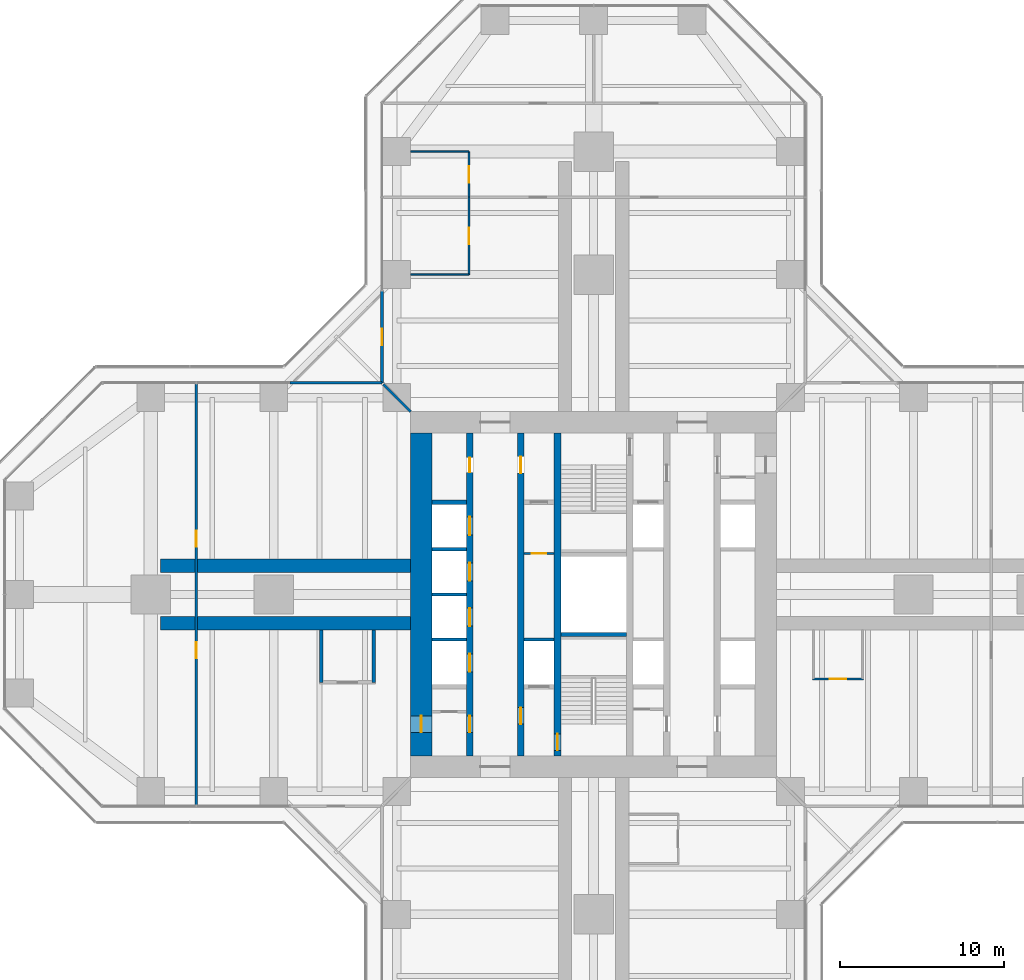
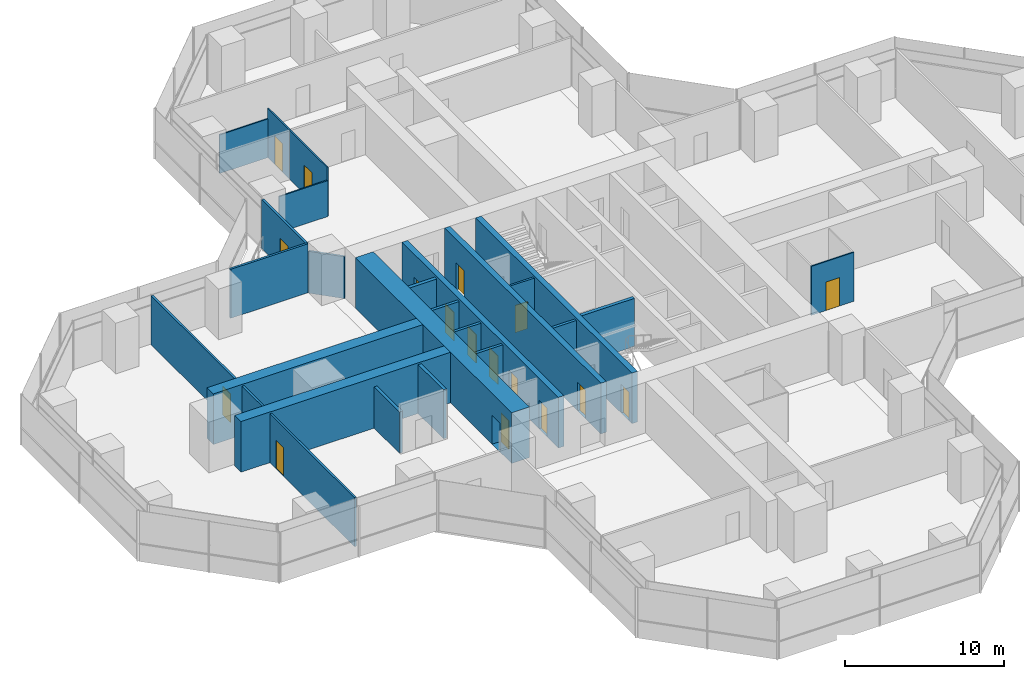
# One storey, part 18 of 22: 24 walls, 17 doors, 17 openings.
"""IFC4 building model written with IfcOpenShell, lengths in metres."""

import ifcopenshell
import ifcopenshell.guid

model = None  # the IFC model being written
_history = None  # IfcOwnerHistory: only IFC2X3 demands one
_inside = {}  # id of a spatial element -> (the spatial element, [elements in it])
_under = {}  # id of a project, library or spatial element -> (it, [spatial elements below it])
_declared = {}  # id of a project -> (the project, [libraries it declares])
_typed = {}  # id of a type object -> (the type object, [elements of that type])
_made_of = {}  # id of a material, layer set ... -> (it, [elements and type objects made of it])


def new_model(schema):
    """Start an empty IFC model of exactly this schema.

    Asked for "IFC4X3", IfcOpenShell would pick the latest addendum, in which some entities
    have other attributes; the version numbers below select the first issue.
    IFC2X3 requires an IfcOwnerHistory on every rooted entity: one is made here for all.
    """
    global model, _history
    if schema == "IFC4X3":
        model = ifcopenshell.file(schema_version=(4, 3, 0, 0))
    else:
        model = ifcopenshell.file(schema=schema)
    _inside.clear()
    _under.clear()
    _declared.clear()
    _typed.clear()
    _made_of.clear()
    _history = None
    if model.schema == "IFC2X3":
        org = make("IfcOrganization", Name="unknown")
        user = make(
            "IfcPersonAndOrganization",
            ThePerson=make("IfcPerson", FamilyName="unknown"),
            TheOrganization=org,
        )
        app = make(
            "IfcApplication",
            ApplicationDeveloper=org,
            Version="unknown",
            ApplicationFullName="unknown",
            ApplicationIdentifier="unknown",
        )
        _history = make(
            "IfcOwnerHistory",
            OwningUser=user,
            OwningApplication=app,
            ChangeAction="ADDED",
            CreationDate=0,
        )
    return model


def make(cls, **values):
    """One entity of the class cls with the attributes given. An attribute that is None is left unset."""
    return model.create_entity(
        cls, **{name: value for name, value in values.items() if value is not None}
    )


def rooted(cls, **values):
    """An entity with a GlobalId (a new one), such as an element, a storey or a relation."""
    return make(cls, GlobalId=ifcopenshell.guid.new(), OwnerHistory=_history, **values)


def si_unit(unit_type, name, prefix=None):
    """IfcSIUnit, for example si_unit("LENGTHUNIT", "METRE", prefix="MILLI")."""
    return make("IfcSIUnit", UnitType=unit_type, Prefix=prefix, Name=name)


def assignment(units):
    """IfcUnitAssignment: the units of a project."""
    return None if units is None else make("IfcUnitAssignment", Units=units)


def point(xyz):
    """IfcCartesianPoint."""
    return None if xyz is None else make("IfcCartesianPoint", Coordinates=xyz)


def direction(xyz):
    """IfcDirection."""
    return None if xyz is None else make("IfcDirection", DirectionRatios=xyz)


def frame(location, z_axis=None, x_axis=None):
    """IfcAxis2Placement3D, a coordinate frame: its origin and axes. An axis left out is left unset."""
    return make(
        "IfcAxis2Placement3D",
        Location=point(location),
        Axis=direction(z_axis),
        RefDirection=direction(x_axis),
    )


def frame_2d(location, x_axis=None):
    """IfcAxis2Placement2D, a coordinate frame in the plane: its origin and x axis."""
    return make(
        "IfcAxis2Placement2D", Location=point(location), RefDirection=direction(x_axis)
    )


def origin():
    """The frame at (0, 0, 0) with its axes left unset."""
    return frame((0.0, 0.0, 0.0))


def place(relative_to, where):
    """IfcLocalPlacement: puts the frame where relative to a parent placement (None: the world)."""
    return make(
        "IfcLocalPlacement", PlacementRelTo=relative_to, RelativePlacement=where
    )


def context(
    kind, dimensions, precision=None, world=None, true_north=None, identifier=None
):
    """IfcGeometricRepresentationContext, for example the 3D "Model" context."""
    return make(
        "IfcGeometricRepresentationContext",
        ContextIdentifier=identifier,
        ContextType=kind,
        CoordinateSpaceDimension=dimensions,
        Precision=precision,
        WorldCoordinateSystem=world,
        TrueNorth=true_north,
    )


def subcontext(parent, identifier, kind, view, scale=None):
    """IfcGeometricRepresentationSubContext, for example "Body" below "Model"."""
    return make(
        "IfcGeometricRepresentationSubContext",
        ContextIdentifier=identifier,
        ContextType=kind,
        ParentContext=parent,
        TargetScale=scale,
        TargetView=view,
    )


def project(units=None, contexts=None):
    """IfcProject with its units and contexts."""
    return rooted(
        "IfcProject",
        Name="project",
        RepresentationContexts=contexts,
        UnitsInContext=assignment(units),
    )


def spatial(cls, under=None, at=None, **own):
    """A site, building, storey or space (cls), placed at a placement, below another one or the project."""
    s = rooted(cls, ObjectPlacement=at, **own)
    if under is not None:
        _under.setdefault(under.id(), (under, []))[1].append(s)
    return s


def profile(cls, at=None, kind="AREA", **sizes):
    """A parametric profile (cls). Its sizes go by their IFC names, for example OverallWidth=200.0."""
    return make(cls, ProfileType=kind, Position=at, **sizes)


def rectangle(**sizes):
    """IfcRectangleProfileDef."""
    return profile("IfcRectangleProfileDef", **sizes)


def extrude(swept, where, along, depth):
    """IfcExtrudedAreaSolid: the profile swept, set in the frame where, extruded along a direction by depth."""
    return make(
        "IfcExtrudedAreaSolid",
        SweptArea=swept,
        Position=where,
        ExtrudedDirection=direction(along),
        Depth=depth,
    )


def shape(context_of_items, identifier, shape_type, items):
    """IfcShapeRepresentation: the items that make up one representation, for example the "Body"."""
    return make(
        "IfcShapeRepresentation",
        ContextOfItems=context_of_items,
        RepresentationIdentifier=identifier,
        RepresentationType=shape_type,
        Items=items,
    )


def material(Name=None, Category=None):
    """IfcMaterial."""
    return make("IfcMaterial", Name=Name, Category=Category)


def layer(
    of_material, thickness, ventilated=None, Name=None, Category=None, Priority=None
):
    """IfcMaterialLayer: one layer of a wall or slab, of a material (None: an air gap)."""
    return make(
        "IfcMaterialLayer",
        Material=of_material,
        LayerThickness=thickness,
        IsVentilated=ventilated,
        Name=Name,
        Category=Category,
        Priority=Priority,
    )


def layer_set(layers, Name=None):
    """IfcMaterialLayerSet."""
    return make("IfcMaterialLayerSet", MaterialLayers=layers, LayerSetName=Name)


def made_of(thing, what):
    """Note that an element or type object is made of a material, layer set ...; save() writes the relation."""
    if what is not None:
        _made_of.setdefault(what.id(), (what, []))[1].append(thing)
    return thing


def type_object(cls, material=None, **own):
    """A type object (cls), such as IfcWallType, which elements share."""
    return made_of(rooted(cls, **own), material)


def element(
    cls,
    number,
    at=None,
    inside=None,
    cuts=None,
    type_object=None,
    material=None,
    context=None,
    identifier="Body",
    shape_type=None,
    held_by="IfcProductDefinitionShape",
    body=None,
    shapes=None,
    **own,
):
    """One element of the class cls, such as IfcWall. Its Tag is "e" and its number.

    at: its placement. inside: the storey or other place that contains it. cuts: it is an
    opening in that element (IfcRelVoidsElement). A single representation is given by context,
    identifier, shape_type and body (its items); several are given by shapes. held_by: the class
    of the entity that holds the representations. save() writes the other relations.
    """
    e = rooted(cls, Tag="e%d" % number, ObjectPlacement=at, **own)
    if body is not None:
        shapes = [shape(context, identifier, shape_type, body)]
    if shapes is not None:
        e.Representation = make(held_by, Representations=shapes)
    if inside is not None:
        _inside.setdefault(inside.id(), (inside, []))[1].append(e)
    if cuts is not None:
        rooted(
            "IfcRelVoidsElement", RelatingBuildingElement=cuts, RelatedOpeningElement=e
        )
    if type_object is not None:
        _typed.setdefault(type_object.id(), (type_object, []))[1].append(e)
    return made_of(e, material)


def fill(opening, filler):
    """IfcRelFillsElement: the door or window that sits in an opening."""
    return rooted(
        "IfcRelFillsElement",
        RelatingOpeningElement=opening,
        RelatedBuildingElement=filler,
    )


def aggregate(whole, parts):
    """IfcRelAggregates: a whole, such as a stair, and the parts it consists of."""
    return rooted("IfcRelAggregates", RelatingObject=whole, RelatedObjects=parts)


def save(model, path):
    """Write the relations noted so far, then the file.

    IfcRelAggregates (storeys below a building ...), IfcRelContainedInSpatialStructure (elements
    in a storey), IfcRelDefinesByType, IfcRelAssociatesMaterial and IfcRelDeclares: one each for
    every whole, place, type object, material and project.
    """
    for whole, parts in _under.values():
        aggregate(whole, parts)
    for where, things in _inside.values():
        rooted(
            "IfcRelContainedInSpatialStructure",
            RelatedElements=things,
            RelatingStructure=where,
        )
    for kind, things in _typed.values():
        rooted("IfcRelDefinesByType", RelatedObjects=things, RelatingType=kind)
    for what, things in _made_of.values():
        rooted("IfcRelAssociatesMaterial", RelatedObjects=things, RelatingMaterial=what)
    for by, libraries in _declared.values():
        rooted("IfcRelDeclares", RelatingContext=by, RelatedDefinitions=libraries)
    model.write(path)


model = new_model("IFC4")

# Units and contexts
model_context = context("Model", 3, precision=1e-05, world=origin(), true_north=direction((0.0, 1.0)))
body_context = subcontext(model_context, "Body", "Model", "MODEL_VIEW")
ifc_project = project(units=[si_unit("LENGTHUNIT", "METRE"), si_unit("AREAUNIT", "SQUARE_METRE"), si_unit("VOLUMEUNIT", "CUBIC_METRE"), si_unit("PLANEANGLEUNIT", "RADIAN"), si_unit("MASSUNIT", "GRAM", prefix="KILO")], contexts=[model_context])

# Site, building, storey
site_placement = place(None, origin())
site = spatial("IfcSite", under=ifc_project, at=site_placement, CompositionType="ELEMENT")
building_placement = place(site_placement, origin())
building = spatial("IfcBuilding", under=site, at=building_placement, Name="Mizan Broadcast Tower", CompositionType="ELEMENT")
storey_placement = place(building_placement, frame((0.0, 0.0, 102.0)))
storey = spatial("IfcBuildingStorey", under=building, at=storey_placement, Name="L22", CompositionType="ELEMENT", Elevation=102.0)

# Wall, openings, doors
ifc_material_1 = material(Name="Concrete C70/85", Category="concrete")
ifc_layer_1 = layer(ifc_material_1, 0.39990234375)
ifc_layer_set_1 = layer_set([ifc_layer_1], Name="Concrete C70/85")
wall_type_1 = type_object("IfcWallType", Name="CORE INTERNAL WALL 400", PredefinedType="SHEAR", material=ifc_layer_set_1)
wall_1_placement = place(storey_placement, frame((-7.550048828125, -9.85009765625, 0.0), z_axis=(0.0, 0.0, 1.0), x_axis=(0.0, 1.0, 0.0)))
wall_1 = element("IfcWall", 1, at=wall_1_placement, inside=storey, type_object=wall_type_1, Name="Core wall CORE/XW1", PredefinedType="SHEAR", context=body_context, shape_type="SweptSolid", body=[
    extrude(rectangle(XDim=19.7001953125, YDim=0.39990234375, at=frame_2d((9.85009765625, 0.0))), origin(), (0.0, 0.0, 1.0), 3.89990234375),
])
opening_1_placement = place(wall_1_placement, frame((1.449951171875, 0.0, 0.0)))
opening_1 = element("IfcOpeningElement", 2, at=opening_1_placement, cuts=wall_1, Name="Opening D10F", PredefinedType="OPENING", context=body_context, shape_type="SweptSolid", body=[
    extrude(rectangle(XDim=1.0, YDim=2.199951171875, at=frame_2d((0.5, 1.10009765625))), frame((0.0, 0.2099609375, 0.0), z_axis=(0.0, -1.0, 0.0), x_axis=(1.0, 0.0, 0.0)), (0.0, 0.0, 1.0), 0.419921875),
])
opening_2_placement = place(wall_1_placement, frame((17.300048828125, 0.0, 0.0)))
opening_2 = element("IfcOpeningElement", 3, at=opening_2_placement, cuts=wall_1, Name="Opening D09", PredefinedType="OPENING", context=body_context, shape_type="SweptSolid", body=[
    extrude(rectangle(XDim=0.89990234375, YDim=2.10009765625, at=frame_2d((0.449951171875, 1.050048828125))), frame((0.0, 0.2099609375, 0.0), z_axis=(0.0, -1.0, 0.0), x_axis=(1.0, 0.0, 0.0)), (0.0, 0.0, 1.0), 0.419921875),
])
opening_3_placement = place(wall_1_placement, frame((5.125, 0.0, 0.0)))
opening_3 = element("IfcOpeningElement", 4, at=opening_3_placement, cuts=wall_1, Name="Opening LD", PredefinedType="OPENING", context=body_context, shape_type="SweptSolid", body=[
    extrude(rectangle(XDim=1.10009765625, YDim=2.199951171875, at=frame_2d((0.550048828125, 1.10009765625))), frame((0.0, 0.2099609375, 0.0), z_axis=(0.0, -1.0, 0.0), x_axis=(1.0, 0.0, 0.0)), (0.0, 0.0, 1.0), 0.419921875),
])
opening_4_placement = place(wall_1_placement, frame((7.925048828125, 0.0, 0.0)))
opening_4 = element("IfcOpeningElement", 5, at=opening_4_placement, cuts=wall_1, Name="Opening LD", PredefinedType="OPENING", context=body_context, shape_type="SweptSolid", body=[
    extrude(rectangle(XDim=1.10009765625, YDim=2.199951171875, at=frame_2d((0.550048828125, 1.10009765625))), frame((0.0, 0.2099609375, 0.0), z_axis=(0.0, -1.0, 0.0), x_axis=(1.0, 0.0, 0.0)), (0.0, 0.0, 1.0), 0.419921875),
])
opening_5_placement = place(wall_1_placement, frame((10.675048828125, 0.0, 0.0)))
opening_5 = element("IfcOpeningElement", 6, at=opening_5_placement, cuts=wall_1, Name="Opening LD", PredefinedType="OPENING", context=body_context, shape_type="SweptSolid", body=[
    extrude(rectangle(XDim=1.10009765625, YDim=2.199951171875, at=frame_2d((0.550048828125, 1.10009765625))), frame((0.0, 0.2099609375, 0.0), z_axis=(0.0, -1.0, 0.0), x_axis=(1.0, 0.0, 0.0)), (0.0, 0.0, 1.0), 0.419921875),
])
opening_6_placement = place(wall_1_placement, frame((13.47509765625, 0.0, 0.0)))
opening_6 = element("IfcOpeningElement", 7, at=opening_6_placement, cuts=wall_1, Name="Opening LD", PredefinedType="OPENING", context=body_context, shape_type="SweptSolid", body=[
    extrude(rectangle(XDim=1.10009765625, YDim=2.199951171875, at=frame_2d((0.550048828125, 1.10009765625))), frame((0.0, 0.2099609375, 0.0), z_axis=(0.0, -1.0, 0.0), x_axis=(1.0, 0.0, 0.0)), (0.0, 0.0, 1.0), 0.419921875),
])
ifc_material_2 = material(Name="Steel door leaf in steel frame", Category="steel")
door_type_1 = type_object("IfcDoorType", Name="FIRE DOOR 1000 FD90", OperationType="SINGLE_SWING_LEFT", PredefinedType="DOOR", material=ifc_material_2)
door_1_placement = place(opening_1_placement, origin())
door_1 = element("IfcDoor", 8, at=door_1_placement, inside=storey, type_object=door_type_1, Name="West core passage door", OperationType="SINGLE_SWING_LEFT", OverallHeight=2.199951171875, OverallWidth=1.0, PredefinedType="DOOR", context=body_context, shape_type="SweptSolid", body=[
    extrude(rectangle(XDim=1.0, YDim=2.199951171875, at=frame_2d((0.5, 1.10009765625))), frame((0.0, 0.02490234375, 0.0), z_axis=(0.0, -1.0, 0.0), x_axis=(1.0, 0.0, 0.0)), (0.0, 0.0, 1.0), 0.050048828125),
])
fill(opening_1, door_1)
ifc_material_3 = material(Name="Steel door leaf in steel frame", Category="steel")
door_type_2 = type_object("IfcDoorType", Name="LIFT LANDING DOOR 1100", OperationType="SLIDING_TO_LEFT", PredefinedType="DOOR", material=ifc_material_3)
door_2_placement = place(opening_3_placement, origin())
door_2 = element("IfcDoor", 9, at=door_2_placement, inside=storey, type_object=door_type_2, Name="Landing door LA1", OperationType="SLIDING_TO_LEFT", OverallHeight=2.199951171875, OverallWidth=1.10009765625, PredefinedType="DOOR", context=body_context, shape_type="SweptSolid", body=[
    extrude(rectangle(XDim=1.10009765625, YDim=2.199951171875, at=frame_2d((0.550048828125, 1.10009765625))), frame((0.0, 0.02490234375, 0.0), z_axis=(0.0, -1.0, 0.0), x_axis=(1.0, 0.0, 0.0)), (0.0, 0.0, 1.0), 0.050048828125),
])
fill(opening_3, door_2)
door_3_placement = place(opening_4_placement, origin())
door_3 = element("IfcDoor", 10, at=door_3_placement, inside=storey, type_object=door_type_2, Name="Landing door LA2", OperationType="SLIDING_TO_LEFT", OverallHeight=2.199951171875, OverallWidth=1.10009765625, PredefinedType="DOOR", context=body_context, shape_type="SweptSolid", body=[
    extrude(rectangle(XDim=1.10009765625, YDim=2.199951171875, at=frame_2d((0.550048828125, 1.10009765625))), frame((0.0, 0.02490234375, 0.0), z_axis=(0.0, -1.0, 0.0), x_axis=(1.0, 0.0, 0.0)), (0.0, 0.0, 1.0), 0.050048828125),
])
fill(opening_4, door_3)
door_4_placement = place(opening_5_placement, origin())
door_4 = element("IfcDoor", 11, at=door_4_placement, inside=storey, type_object=door_type_2, Name="Landing door LA3", OperationType="SLIDING_TO_LEFT", OverallHeight=2.199951171875, OverallWidth=1.10009765625, PredefinedType="DOOR", context=body_context, shape_type="SweptSolid", body=[
    extrude(rectangle(XDim=1.10009765625, YDim=2.199951171875, at=frame_2d((0.550048828125, 1.10009765625))), frame((0.0, 0.02490234375, 0.0), z_axis=(0.0, -1.0, 0.0), x_axis=(1.0, 0.0, 0.0)), (0.0, 0.0, 1.0), 0.050048828125),
])
fill(opening_5, door_4)
door_5_placement = place(opening_6_placement, origin())
door_5 = element("IfcDoor", 12, at=door_5_placement, inside=storey, type_object=door_type_2, Name="Landing door LA4", OperationType="SLIDING_TO_LEFT", OverallHeight=2.199951171875, OverallWidth=1.10009765625, PredefinedType="DOOR", context=body_context, shape_type="SweptSolid", body=[
    extrude(rectangle(XDim=1.10009765625, YDim=2.199951171875, at=frame_2d((0.550048828125, 1.10009765625))), frame((0.0, 0.02490234375, 0.0), z_axis=(0.0, -1.0, 0.0), x_axis=(1.0, 0.0, 0.0)), (0.0, 0.0, 1.0), 0.050048828125),
])
fill(opening_6, door_5)
ifc_material_4 = material(Name="Timber door leaf in aluminium frame", Category="wood")
door_type_3 = type_object("IfcDoorType", Name="TOILET DOOR 900", OperationType="SINGLE_SWING_LEFT", PredefinedType="DOOR", material=ifc_material_4)
door_6_placement = place(opening_2_placement, origin())
door_6 = element("IfcDoor", 13, at=door_6_placement, inside=storey, type_object=door_type_3, Name="Male WC door", OperationType="SINGLE_SWING_RIGHT", OverallHeight=2.10009765625, OverallWidth=0.89990234375, PredefinedType="DOOR", context=body_context, shape_type="SweptSolid", body=[
    extrude(rectangle(XDim=0.89990234375, YDim=2.10009765625, at=frame_2d((0.449951171875, 1.050048828125))), frame((0.0, 0.02490234375, 0.0), z_axis=(0.0, -1.0, 0.0), x_axis=(1.0, 0.0, 0.0)), (0.0, 0.0, 1.0), 0.050048828125),
])
fill(opening_2, door_6)

wall_2_placement = place(storey_placement, frame((-4.449951171875, -9.85009765625, 0.0), z_axis=(0.0, 0.0, 1.0), x_axis=(0.0, 1.0, 0.0)))
wall_2 = element("IfcWall", 14, at=wall_2_placement, inside=storey, type_object=wall_type_1, Name="Core wall CORE/XWH", PredefinedType="SHEAR", context=body_context, shape_type="SweptSolid", body=[
    extrude(rectangle(XDim=19.7001953125, YDim=0.39990234375, at=frame_2d((9.85009765625, 0.0))), origin(), (0.0, 0.0, 1.0), 3.89990234375),
])
opening_7_placement = place(wall_2_placement, frame((1.949951171875, 0.0, 0.0)))
opening_7 = element("IfcOpeningElement", 15, at=opening_7_placement, cuts=wall_2, Name="Opening D10F", PredefinedType="OPENING", context=body_context, shape_type="SweptSolid", body=[
    extrude(rectangle(XDim=1.0, YDim=2.199951171875, at=frame_2d((0.5, 1.10009765625))), frame((0.0, 0.2099609375, 0.0), z_axis=(0.0, -1.0, 0.0), x_axis=(1.0, 0.0, 0.0)), (0.0, 0.0, 1.0), 0.419921875),
])
opening_8_placement = place(wall_2_placement, frame((17.25, 0.0, 0.0)))
opening_8 = element("IfcOpeningElement", 16, at=opening_8_placement, cuts=wall_2, Name="Opening D10A", PredefinedType="OPENING", context=body_context, shape_type="SweptSolid", body=[
    extrude(rectangle(XDim=1.0, YDim=2.10009765625, at=frame_2d((0.5, 1.050048828125))), frame((0.0, 0.2099609375, 0.0), z_axis=(0.0, -1.0, 0.0), x_axis=(1.0, 0.0, 0.0)), (0.0, 0.0, 1.0), 0.419921875),
])
ifc_material_5 = material(Name="Timber door leaf in aluminium frame", Category="wood")
door_type_4 = type_object("IfcDoorType", Name="ACCESSIBLE WC DOOR 1000", OperationType="SLIDING_TO_LEFT", PredefinedType="DOOR", material=ifc_material_5)
door_7_placement = place(opening_8_placement, origin())
door_7 = element("IfcDoor", 17, at=door_7_placement, inside=storey, type_object=door_type_4, Name="Accessible WC door", OperationType="SLIDING_TO_LEFT", OverallHeight=2.10009765625, OverallWidth=1.0, PredefinedType="DOOR", context=body_context, shape_type="SweptSolid", body=[
    extrude(rectangle(XDim=1.0, YDim=2.10009765625, at=frame_2d((0.5, 1.050048828125))), frame((0.0, 0.02490234375, 0.0), z_axis=(0.0, -1.0, 0.0), x_axis=(1.0, 0.0, 0.0)), (0.0, 0.0, 1.0), 0.050048828125),
])
fill(opening_8, door_7)
door_8_placement = place(opening_7_placement, origin())
door_8 = element("IfcDoor", 18, at=door_8_placement, inside=storey, type_object=door_type_1, Name="Firefighting lobby A door", OperationType="SINGLE_SWING_LEFT", OverallHeight=2.199951171875, OverallWidth=1.0, PredefinedType="DOOR", context=body_context, shape_type="SweptSolid", body=[
    extrude(rectangle(XDim=1.0, YDim=2.199951171875, at=frame_2d((0.5, 1.10009765625))), frame((0.0, 0.02490234375, 0.0), z_axis=(0.0, -1.0, 0.0), x_axis=(1.0, 0.0, 0.0)), (0.0, 0.0, 1.0), 0.050048828125),
])
fill(opening_7, door_8)

# Wall, opening, door
wall_3_placement = place(storey_placement, frame((-2.199951171875, -9.85009765625, 0.0), z_axis=(0.0, 0.0, 1.0), x_axis=(0.0, 1.0, 0.0)))
wall_3 = element("IfcWall", 19, at=wall_3_placement, inside=storey, type_object=wall_type_1, Name="Core wall CORE/XW2", PredefinedType="SHEAR", context=body_context, shape_type="SweptSolid", body=[
    extrude(rectangle(XDim=19.7001953125, YDim=0.39990234375, at=frame_2d((9.85009765625, 0.0))), origin(), (0.0, 0.0, 1.0), 3.89990234375),
])
opening_9_placement = place(wall_3_placement, frame((0.35009765625, 0.0, 0.0)))
opening_9 = element("IfcOpeningElement", 20, at=opening_9_placement, cuts=wall_3, Name="Opening D10S", PredefinedType="OPENING", context=body_context, shape_type="SweptSolid", body=[
    extrude(rectangle(XDim=1.0, YDim=2.199951171875, at=frame_2d((0.5, 1.10009765625))), frame((0.0, 0.2099609375, 0.0), z_axis=(0.0, -1.0, 0.0), x_axis=(1.0, 0.0, 0.0)), (0.0, 0.0, 1.0), 0.419921875),
])
ifc_material_6 = material(Name="Steel door leaf in steel frame", Category="steel")
door_type_5 = type_object("IfcDoorType", Name="STAIR DOOR 1000 FD90S", OperationType="SINGLE_SWING_RIGHT", PredefinedType="DOOR", material=ifc_material_6)
door_9_placement = place(opening_9_placement, origin())
door_9 = element("IfcDoor", 21, at=door_9_placement, inside=storey, type_object=door_type_5, Name="Stair A door", OperationType="SINGLE_SWING_RIGHT", OverallHeight=2.199951171875, OverallWidth=1.0, PredefinedType="DOOR", context=body_context, shape_type="SweptSolid", body=[
    extrude(rectangle(XDim=1.0, YDim=2.199951171875, at=frame_2d((0.5, 1.10009765625))), frame((0.0, 0.02490234375, 0.0), z_axis=(0.0, -1.0, 0.0), x_axis=(1.0, 0.0, 0.0)), (0.0, 0.0, 1.0), 0.050048828125),
])
fill(opening_9, door_9)

ifc_material_7 = material(Name="Concrete blockwork", Category="masonry")
ifc_layer_2 = layer(ifc_material_7, 0.14990234375)
ifc_layer_set_2 = layer_set([ifc_layer_2], Name="Concrete blockwork")
wall_type_2 = type_object("IfcWallType", Name="CORE PARTITION 150", PredefinedType="SOLIDWALL", material=ifc_layer_set_2)
wall_4_placement = place(storey_placement, frame((-4.25, 2.5, 0.0), z_axis=(0.0, 0.0, 1.0), x_axis=(1.0, 0.0, 0.0)))
wall_4 = element("IfcWall", 22, at=wall_4_placement, inside=storey, type_object=wall_type_2, Name="Core partition CORE/XP2", PredefinedType="SOLIDWALL", context=body_context, shape_type="SweptSolid", body=[
    extrude(rectangle(XDim=1.85009765625, YDim=0.14990234375, at=frame_2d((0.925048828125, 0.0))), origin(), (0.0, 0.0, 1.0), 3.77001953125),
])
opening_10_placement = place(wall_4_placement, frame((0.47509765625, 0.0, 0.0)))
opening_10 = element("IfcOpeningElement", 23, at=opening_10_placement, cuts=wall_4, Name="Opening D09F", PredefinedType="OPENING", context=body_context, shape_type="SweptSolid", body=[
    extrude(rectangle(XDim=0.89990234375, YDim=2.10009765625, at=frame_2d((0.449951171875, 1.050048828125))), frame((0.0, 0.0849609375, 0.0), z_axis=(0.0, -1.0, 0.0), x_axis=(1.0, 0.0, 0.0)), (0.0, 0.0, 1.0), 0.169921875),
])
ifc_material_8 = material(Name="Steel door leaf in steel frame", Category="steel")
door_type_6 = type_object("IfcDoorType", Name="CORE ROOM DOOR 900 FD90", OperationType="SINGLE_SWING_LEFT", PredefinedType="DOOR", material=ifc_material_8)
door_10_placement = place(opening_10_placement, origin())
door_10 = element("IfcDoor", 24, at=door_10_placement, inside=storey, type_object=door_type_6, Name="Accessible changing room door", OperationType="SINGLE_SWING_RIGHT", OverallHeight=2.10009765625, OverallWidth=0.89990234375, PredefinedType="DOOR", context=body_context, shape_type="SweptSolid", body=[
    extrude(rectangle(XDim=0.89990234375, YDim=2.10009765625, at=frame_2d((0.449951171875, 1.050048828125))), frame((0.0, 0.02490234375, 0.0), z_axis=(0.0, -1.0, 0.0), x_axis=(1.0, 0.0, 0.0)), (0.0, 0.0, 1.0), 0.050048828125),
])
fill(opening_10, door_10)

ifc_material_9 = material(Name="Concrete C70/85", Category="concrete")
ifc_layer_3 = layer(ifc_material_9, 1.300048828125)
ifc_layer_set_3 = layer_set([ifc_layer_3], Name="Concrete C70/85")
wall_type_3 = type_object("IfcWallType", Name="CORE WALL 1300", PredefinedType="SHEAR", material=ifc_layer_set_3)
wall_5_placement = place(storey_placement, frame((-10.5, 9.85009765625, 0.0), z_axis=(0.0, 0.0, 1.0), x_axis=(0.0, -1.0, 0.0)))
wall_5 = element("IfcWall", 25, at=wall_5_placement, inside=storey, type_object=wall_type_3, Name="Core wall W L22", PredefinedType="SHEAR", context=body_context, shape_type="SweptSolid", body=[
    extrude(rectangle(XDim=19.7001953125, YDim=1.300048828125, at=frame_2d((9.85009765625, 0.0))), origin(), (0.0, 0.0, 1.0), 3.89990234375),
])
opening_11_placement = place(wall_5_placement, frame((17.25, 0.0, 0.0)))
opening_11 = element("IfcOpeningElement", 26, at=opening_11_placement, cuts=wall_5, Name="Opening D10F", PredefinedType="OPENING", context=body_context, shape_type="SweptSolid", body=[
    extrude(rectangle(XDim=1.0, YDim=2.199951171875, at=frame_2d((0.5, 1.10009765625))), frame((0.0, 0.659912109375, 0.0), z_axis=(0.0, -1.0, 0.0), x_axis=(1.0, 0.0, 0.0)), (0.0, 0.0, 1.0), 1.320068359375),
])
door_11_placement = place(opening_11_placement, origin())
door_11 = element("IfcDoor", 27, at=door_11_placement, inside=storey, type_object=door_type_1, Name="West core passage arm door", OperationType="SINGLE_SWING_RIGHT", OverallHeight=2.199951171875, OverallWidth=1.0, PredefinedType="DOOR", context=body_context, shape_type="SweptSolid", body=[
    extrude(rectangle(XDim=1.0, YDim=2.199951171875, at=frame_2d((0.5, 1.10009765625))), frame((0.0, 0.02490234375, 0.0), z_axis=(0.0, -1.0, 0.0), x_axis=(1.0, 0.0, 0.0)), (0.0, 0.0, 1.0), 0.050048828125),
])
fill(opening_11, door_11)

ifc_material_10 = material(Name="Aluminium framed glazed screen", Category="aluminium")
ifc_layer_4 = layer(ifc_material_10, 0.159912109375)
ifc_layer_set_4 = layer_set([ifc_layer_4], Name="Aluminium framed glazed screen")
wall_type_4 = type_object("IfcWallType", Name="GLAZED SCREEN WALL 160", PredefinedType="SOLIDWALL", material=ifc_layer_set_4)
wall_6_placement = place(storey_placement, frame((-12.89990234375, 18.5, 0.0), z_axis=(0.0, 0.0, 1.0), x_axis=(0.0, -1.0, 0.0)))
wall_6 = element("IfcWall", 28, at=wall_6_placement, inside=storey, type_object=wall_type_4, Name="Winter garden screen L22 N", PredefinedType="SOLIDWALL", context=body_context, shape_type="SweptSolid", body=[
    extrude(rectangle(XDim=5.60009765625, YDim=0.159912109375, at=frame_2d((2.800048828125, 0.0))), origin(), (0.0, 0.0, 1.0), 3.77001953125),
])
opening_12_placement = place(wall_6_placement, frame((2.300048828125, 0.0, 0.0)))
opening_12 = element("IfcOpeningElement", 29, at=opening_12_placement, cuts=wall_6, Name="Opening WGD", PredefinedType="OPENING", context=body_context, shape_type="SweptSolid", body=[
    extrude(rectangle(XDim=1.0, YDim=2.199951171875, at=frame_2d((0.5, 1.10009765625))), frame((0.0, 0.08984375, 0.0), z_axis=(0.0, -1.0, 0.0), x_axis=(1.0, 0.0, 0.0)), (0.0, 0.0, 1.0), 0.179931640625),
])
ifc_material_11 = material(Name="Aluminium framed glazed door", Category="aluminium")
door_type_7 = type_object("IfcDoorType", Name="WINTER GARDEN DOOR 1000 GLAZED", OperationType="SINGLE_SWING_LEFT", PredefinedType="DOOR", material=ifc_material_11)
door_12_placement = place(opening_12_placement, origin())
door_12 = element("IfcDoor", 30, at=door_12_placement, inside=storey, type_object=door_type_7, Name="Winter garden door L22 N", OperationType="SINGLE_SWING_RIGHT", OverallHeight=2.199951171875, OverallWidth=1.0, PredefinedType="DOOR", context=body_context, shape_type="SweptSolid", body=[
    extrude(rectangle(XDim=1.0, YDim=2.199951171875, at=frame_2d((0.5, 1.10009765625))), frame((0.0, 0.02490234375, 0.0), z_axis=(0.0, -1.0, 0.0), x_axis=(1.0, 0.0, 0.0)), (0.0, 0.0, 1.0), 0.050048828125),
])
fill(opening_12, door_12)

# Walls
wall_7_placement = place(storey_placement, frame((-12.89990234375, 12.89990234375, 0.0), z_axis=(0.0, 0.0, 1.0), x_axis=(-1.0, 0.0, 0.0)))
element("IfcWall", 31, at=wall_7_placement, inside=storey, type_object=wall_type_4, Name="Winter garden screen L22 W", PredefinedType="SOLIDWALL", context=body_context, shape_type="SweptSolid", body=[
    extrude(rectangle(XDim=5.60009765625, YDim=0.159912109375, at=frame_2d((2.800048828125, 0.0))), origin(), (0.0, 0.0, 1.0), 3.77001953125),
])
ifc_material_12 = material(Name="Concrete blockwork", Category="masonry")
ifc_layer_5 = layer(ifc_material_12, 0.199951171875)
ifc_layer_set_5 = layer_set([ifc_layer_5], Name="Concrete blockwork")
wall_type_5 = type_object("IfcWallType", Name="LIFT SHAFT WALL 200", PredefinedType="SOLIDWALL", material=ifc_layer_set_5)
wall_8_placement = place(storey_placement, frame((-9.85009765625, -2.75, 0.0), z_axis=(0.0, 0.0, 1.0), x_axis=(1.0, 0.0, 0.0)))
element("IfcWall", 32, at=wall_8_placement, inside=storey, type_object=wall_type_5, Name="Lift shaft wall CORE/SW1-1", PredefinedType="SOLIDWALL", context=body_context, shape_type="SweptSolid", body=[
    extrude(rectangle(XDim=2.10009765625, YDim=0.199951171875, at=frame_2d((1.050048828125, 0.0))), origin(), (0.0, 0.0, 1.0), 3.699951171875),
])
wall_9_placement = place(storey_placement, frame((-4.25, -2.75, 0.0), z_axis=(0.0, 0.0, 1.0), x_axis=(1.0, 0.0, 0.0)))
element("IfcWall", 33, at=wall_9_placement, inside=storey, type_object=wall_type_5, Name="Lift shaft wall CORE/SW2-1", PredefinedType="SOLIDWALL", context=body_context, shape_type="SweptSolid", body=[
    extrude(rectangle(XDim=1.85009765625, YDim=0.199951171875, at=frame_2d((0.925048828125, 0.0))), origin(), (0.0, 0.0, 1.0), 3.699951171875),
])
for number, where, z_axis, x_axis, name in (
    (34, (-9.85009765625, 0.0, 0.0), (0.0, 0.0, 1.0), (1.0, 0.0, 0.0), "Lift shaft wall CORE/SW1-2"),
    (35, (-9.85009765625, 2.75, 0.0), (0.0, 0.0, 1.0), (1.0, 0.0, 0.0), "Lift shaft wall CORE/SW1-3"),
):
    element("IfcWall", number, at=place(storey_placement, frame(where, z_axis=z_axis, x_axis=x_axis)), inside=storey, type_object=wall_type_5, Name=name, PredefinedType="SOLIDWALL", context=body_context, shape_type="SweptSolid", body=[
        extrude(rectangle(XDim=2.10009765625, YDim=0.199951171875, at=frame_2d((1.050048828125, 0.0))), origin(), (0.0, 0.0, 1.0), 3.699951171875),
    ])
ifc_material_13 = material(Name="Concrete blockwork", Category="masonry")
ifc_layer_6 = layer(ifc_material_13, 0.25)
ifc_layer_set_6 = layer_set([ifc_layer_6], Name="Concrete blockwork")
wall_type_6 = type_object("IfcWallType", Name="LOBBY ENCLOSURE WALL 250", PredefinedType="SOLIDWALL", material=ifc_layer_set_6)
wall_10_placement = place(storey_placement, frame((-9.85009765625, 5.625, 0.0), z_axis=(0.0, 0.0, 1.0), x_axis=(1.0, 0.0, 0.0)))
element("IfcWall", 36, at=wall_10_placement, inside=storey, type_object=wall_type_6, Name="Lobby enclosure wall CORE/BW1N", PredefinedType="SOLIDWALL", context=body_context, shape_type="SweptSolid", body=[
    extrude(rectangle(XDim=2.10009765625, YDim=0.25, at=frame_2d((1.050048828125, 0.0))), origin(), (0.0, 0.0, 1.0), 3.699951171875),
])
wall_11_placement = place(storey_placement, frame((-2.0, -2.449951171875, 0.0), z_axis=(0.0, 0.0, 1.0), x_axis=(1.0, 0.0, 0.0)))
element("IfcWall", 37, at=wall_11_placement, inside=storey, type_object=wall_type_6, Name="Lobby enclosure wall CORE/STA", PredefinedType="SOLIDWALL", context=body_context, shape_type="SweptSolid", body=[
    extrude(rectangle(XDim=4.0, YDim=0.25, at=frame_2d((2.0, 0.0))), origin(), (0.0, 0.0, 1.0), 3.699951171875),
])

# Wall, openings, doors
ifc_material_14 = material(Name="Gypsum board on steel studs", Category="steel")
ifc_layer_7 = layer(ifc_material_14, 0.14990234375)
ifc_layer_set_7 = layer_set([ifc_layer_7], Name="Gypsum board on steel studs")
wall_type_7 = type_object("IfcWallType", Name="PARTITION 150", PredefinedType="PARTITIONING", material=ifc_layer_set_7)
wall_12_placement = place(storey_placement, frame((-24.22900390625, 12.820068359375, 0.0), z_axis=(0.0, 0.0, 1.0), x_axis=(0.0, -1.0, 0.0)))
wall_12 = element("IfcWall", 38, at=wall_12_placement, inside=storey, type_object=wall_type_7, Name="Partition PT/WX1", PredefinedType="PARTITIONING", context=body_context, shape_type="SweptSolid", body=[
    extrude(rectangle(XDim=25.64013671875, YDim=0.14990234375, at=frame_2d((12.820068359375, 0.0))), origin(), (0.0, 0.0, 1.0), 3.77001953125),
])
opening_13_placement = place(wall_12_placement, frame((15.719970703125, 0.0, 0.0)))
opening_13 = element("IfcOpeningElement", 39, at=opening_13_placement, cuts=wall_12, Name="Opening D10", PredefinedType="OPENING", context=body_context, shape_type="SweptSolid", body=[
    extrude(rectangle(XDim=1.0, YDim=2.199951171875, at=frame_2d((0.5, 1.10009765625))), frame((0.0, 0.0849609375, 0.0), z_axis=(0.0, -1.0, 0.0), x_axis=(1.0, 0.0, 0.0)), (0.0, 0.0, 1.0), 0.169921875),
])
opening_14_placement = place(wall_12_placement, frame((8.919921875, 0.0, 0.0)))
opening_14 = element("IfcOpeningElement", 40, at=opening_14_placement, cuts=wall_12, Name="Opening D10", PredefinedType="OPENING", context=body_context, shape_type="SweptSolid", body=[
    extrude(rectangle(XDim=1.0, YDim=2.199951171875, at=frame_2d((0.5, 1.10009765625))), frame((0.0, 0.0849609375, 0.0), z_axis=(0.0, -1.0, 0.0), x_axis=(1.0, 0.0, 0.0)), (0.0, 0.0, 1.0), 0.169921875),
])
ifc_material_15 = material(Name="Timber door leaf in aluminium frame", Category="wood")
door_type_8 = type_object("IfcDoorType", Name="ROOM DOOR 1000", OperationType="SINGLE_SWING_LEFT", PredefinedType="DOOR", material=ifc_material_15)
door_13_placement = place(opening_13_placement, origin())
door_13 = element("IfcDoor", 41, at=door_13_placement, inside=storey, type_object=door_type_8, Name="Breakout area door", OperationType="SINGLE_SWING_RIGHT", OverallHeight=2.199951171875, OverallWidth=1.0, PredefinedType="DOOR", context=body_context, shape_type="SweptSolid", body=[
    extrude(rectangle(XDim=1.0, YDim=2.199951171875, at=frame_2d((0.5, 1.10009765625))), frame((0.0, 0.02490234375, 0.0), z_axis=(0.0, -1.0, 0.0), x_axis=(1.0, 0.0, 0.0)), (0.0, 0.0, 1.0), 0.050048828125),
])
fill(opening_13, door_13)
door_14_placement = place(opening_14_placement, origin())
door_14 = element("IfcDoor", 42, at=door_14_placement, inside=storey, type_object=door_type_8, Name="Breakout area door", OperationType="SINGLE_SWING_LEFT", OverallHeight=2.199951171875, OverallWidth=1.0, PredefinedType="DOOR", context=body_context, shape_type="SweptSolid", body=[
    extrude(rectangle(XDim=1.0, YDim=2.199951171875, at=frame_2d((0.5, 1.10009765625))), frame((0.0, 0.02490234375, 0.0), z_axis=(0.0, -1.0, 0.0), x_axis=(1.0, 0.0, 0.0)), (0.0, 0.0, 1.0), 0.050048828125),
])
fill(opening_14, door_14)

# Walls
wall_13_placement = place(storey_placement, frame((-11.14990234375, 11.14990234375, 0.0), z_axis=(0.0, 0.0, 1.0), x_axis=(-0.707106781187, 0.707106781187, 0.0)))
element("IfcWall", 43, at=wall_13_placement, inside=storey, type_object=wall_type_7, Name="Partition PT/DGWN", PredefinedType="PARTITIONING", context=body_context, shape_type="SweptSolid", body=[
    extrude(rectangle(XDim=2.362060546875, YDim=0.14990234375, at=frame_2d((1.18115234375, 0.0))), origin(), (0.0, 0.0, 1.0), 3.219970703125),
])
ifc_material_16 = material(Name="Twin steel stud acoustic partition, four layers of gypsum board", Category="steel")
ifc_layer_8 = layer(ifc_material_16, 0.22509765625)
ifc_layer_set_8 = layer_set([ifc_layer_8], Name="Twin steel stud acoustic partition, four layers of gypsum board")
wall_type_8 = type_object("IfcWallType", Name="PARTITION ACOUSTIC 225", PredefinedType="PARTITIONING", material=ifc_layer_set_8)
wall_14_placement = place(storey_placement, frame((-13.39990234375, -2.14990234375, 0.0), z_axis=(0.0, 0.0, 1.0), x_axis=(0.0, -1.0, 0.0)))
element("IfcWall", 44, at=wall_14_placement, inside=storey, type_object=wall_type_8, Name="Acoustic partition PT/WKP0a", PredefinedType="PARTITIONING", context=body_context, shape_type="SweptSolid", body=[
    extrude(rectangle(XDim=3.2001953125, YDim=0.22509765625, at=frame_2d((1.60009765625, 0.0))), origin(), (0.0, 0.0, 1.0), 3.77001953125),
])
wall_15_placement = place(storey_placement, frame((-16.60009765625, -2.14990234375, 0.0), z_axis=(0.0, 0.0, 1.0), x_axis=(0.0, -1.0, 0.0)))
element("IfcWall", 45, at=wall_15_placement, inside=storey, type_object=wall_type_8, Name="Acoustic partition PT/WKP0b", PredefinedType="PARTITIONING", context=body_context, shape_type="SweptSolid", body=[
    extrude(rectangle(XDim=3.2001953125, YDim=0.22509765625, at=frame_2d((1.60009765625, 0.0))), origin(), (0.0, 0.0, 1.0), 3.179931640625),
])

# Wall, opening, door
ifc_material_17 = material(Name="Glazed aluminium partition on aluminium track", Category="aluminium")
ifc_layer_9 = layer(ifc_material_17, 0.10009765625)
ifc_layer_set_9 = layer_set([ifc_layer_9], Name="Glazed aluminium partition on aluminium track")
wall_type_9 = type_object("IfcWallType", Name="PARTITION GLAZED OFFICE FRONT 100", PredefinedType="PARTITIONING", material=ifc_layer_set_9)
wall_16_placement = place(storey_placement, frame((13.35009765625, -5.14990234375, 0.0), z_axis=(0.0, 0.0, 1.0), x_axis=(1.0, 0.0, 0.0)))
wall_16 = element("IfcWall", 46, at=wall_16_placement, inside=storey, type_object=wall_type_9, Name="Glazed office front PT/EKN0f", PredefinedType="PARTITIONING", context=body_context, shape_type="SweptSolid", body=[
    extrude(rectangle(XDim=3.099853515625, YDim=0.10009765625, at=frame_2d((1.5498046875, 0.0))), origin(), (0.0, 0.0, 1.0), 3.77001953125),
])
opening_15_placement = place(wall_16_placement, frame((1.050048828125, 0.0, 0.0)))
opening_15 = element("IfcOpeningElement", 47, at=opening_15_placement, cuts=wall_16, Name="Opening D10O", PredefinedType="OPENING", context=body_context, shape_type="SweptSolid", body=[
    extrude(rectangle(XDim=1.0, YDim=2.199951171875, at=frame_2d((0.5, 1.10009765625))), frame((0.0, 0.06005859375, 0.0), z_axis=(0.0, -1.0, 0.0), x_axis=(1.0, 0.0, 0.0)), (0.0, 0.0, 1.0), 0.1201171875),
])
ifc_material_18 = material(Name="Timber door leaf in aluminium frame", Category="wood")
door_type_9 = type_object("IfcDoorType", Name="OFFICE DOOR 1000 GLAZED", OperationType="SINGLE_SWING_LEFT", PredefinedType="DOOR", material=ifc_material_18)
door_15_placement = place(opening_15_placement, origin())
door_15 = element("IfcDoor", 48, at=door_15_placement, inside=storey, type_object=door_type_9, Name="Training store door", OperationType="SINGLE_SWING_LEFT", OverallHeight=2.199951171875, OverallWidth=1.0, PredefinedType="DOOR", context=body_context, shape_type="SweptSolid", body=[
    extrude(rectangle(XDim=1.0, YDim=2.199951171875, at=frame_2d((0.5, 1.10009765625))), frame((0.0, 0.02490234375, 0.0), z_axis=(0.0, -1.0, 0.0), x_axis=(1.0, 0.0, 0.0)), (0.0, 0.0, 1.0), 0.050048828125),
])
fill(opening_15, door_15)

wall_17_placement = place(storey_placement, frame((-7.60009765625, 19.5, 0.0), z_axis=(0.0, 0.0, 1.0), x_axis=(0.0, 1.0, 0.0)))
wall_17 = element("IfcWall", 49, at=wall_17_placement, inside=storey, type_object=wall_type_9, Name="Glazed office front PT/NCP0", PredefinedType="PARTITIONING", context=body_context, shape_type="SweptSolid", body=[
    extrude(rectangle(XDim=4.72900390625, YDim=0.10009765625, at=frame_2d((2.364501953125, 0.0))), origin(), (0.0, 0.0, 1.0), 3.77001953125),
])
opening_16_placement = place(wall_17_placement, frame((1.864501953125, 0.0, 0.0)))
opening_16 = element("IfcOpeningElement", 50, at=opening_16_placement, cuts=wall_17, Name="Opening D10O", PredefinedType="OPENING", context=body_context, shape_type="SweptSolid", body=[
    extrude(rectangle(XDim=1.0, YDim=2.199951171875, at=frame_2d((0.5, 1.10009765625))), frame((0.0, 0.06005859375, 0.0), z_axis=(0.0, -1.0, 0.0), x_axis=(1.0, 0.0, 0.0)), (0.0, 0.0, 1.0), 0.1201171875),
])
door_16_placement = place(opening_16_placement, origin())
door_16 = element("IfcDoor", 51, at=door_16_placement, inside=storey, type_object=door_type_9, Name="Tutor's office door", OperationType="SINGLE_SWING_LEFT", OverallHeight=2.199951171875, OverallWidth=1.0, PredefinedType="DOOR", context=body_context, shape_type="SweptSolid", body=[
    extrude(rectangle(XDim=1.0, YDim=2.199951171875, at=frame_2d((0.5, 1.10009765625))), frame((0.0, 0.02490234375, 0.0), z_axis=(0.0, -1.0, 0.0), x_axis=(1.0, 0.0, 0.0)), (0.0, 0.0, 1.0), 0.050048828125),
])
fill(opening_16, door_16)

wall_18_placement = place(storey_placement, frame((-7.60009765625, 24.22900390625, 0.0), z_axis=(0.0, 0.0, 1.0), x_axis=(0.0, 1.0, 0.0)))
wall_18 = element("IfcWall", 52, at=wall_18_placement, inside=storey, type_object=wall_type_9, Name="Glazed office front PT/NCP1", PredefinedType="PARTITIONING", context=body_context, shape_type="SweptSolid", body=[
    extrude(rectangle(XDim=2.77099609375, YDim=0.10009765625, at=frame_2d((1.385498046875, 0.0))), origin(), (0.0, 0.0, 1.0), 3.77001953125),
])
opening_17_placement = place(wall_18_placement, frame((0.885498046875, 0.0, 0.0)))
opening_17 = element("IfcOpeningElement", 53, at=opening_17_placement, cuts=wall_18, Name="Opening D10O", PredefinedType="OPENING", context=body_context, shape_type="SweptSolid", body=[
    extrude(rectangle(XDim=1.0, YDim=2.199951171875, at=frame_2d((0.5, 1.10009765625))), frame((0.0, 0.06005859375, 0.0), z_axis=(0.0, -1.0, 0.0), x_axis=(1.0, 0.0, 0.0)), (0.0, 0.0, 1.0), 0.1201171875),
])
door_17_placement = place(opening_17_placement, origin())
door_17 = element("IfcDoor", 54, at=door_17_placement, inside=storey, type_object=door_type_9, Name="Tutor's office door", OperationType="SINGLE_SWING_LEFT", OverallHeight=2.199951171875, OverallWidth=1.0, PredefinedType="DOOR", context=body_context, shape_type="SweptSolid", body=[
    extrude(rectangle(XDim=1.0, YDim=2.199951171875, at=frame_2d((0.5, 1.10009765625))), frame((0.0, 0.02490234375, 0.0), z_axis=(0.0, -1.0, 0.0), x_axis=(1.0, 0.0, 0.0)), (0.0, 0.0, 1.0), 0.050048828125),
])
fill(opening_17, door_17)

# Walls
wall_19_placement = place(storey_placement, frame((-7.60009765625, 19.5, 0.0), z_axis=(0.0, 0.0, 1.0), x_axis=(-1.0, 0.0, 0.0)))
element("IfcWall", 55, at=wall_19_placement, inside=storey, type_object=wall_type_9, Name="Glazed office front PT/NQP1950", PredefinedType="PARTITIONING", context=body_context, shape_type="SweptSolid", body=[
    extrude(rectangle(XDim=3.5498046875, YDim=0.10009765625, at=frame_2d((1.77490234375, 0.0))), origin(), (0.0, 0.0, 1.0), 2.77001953125),
])
wall_20_placement = place(storey_placement, frame((-7.60009765625, 27.0, 0.0), z_axis=(0.0, 0.0, 1.0), x_axis=(-1.0, 0.0, 0.0)))
element("IfcWall", 56, at=wall_20_placement, inside=storey, type_object=wall_type_9, Name="Glazed office front PT/NQP2700", PredefinedType="PARTITIONING", context=body_context, shape_type="SweptSolid", body=[
    extrude(rectangle(XDim=3.5498046875, YDim=0.10009765625, at=frame_2d((1.77490234375, 0.0))), origin(), (0.0, 0.0, 1.0), 2.969970703125),
])
ifc_material_19 = material(Name="Concrete C70/85", Category="concrete")
ifc_layer_10 = layer(ifc_material_19, 0.800048828125)
ifc_layer_set_10 = layer_set([ifc_layer_10], Name="Concrete C70/85")
wall_type_10 = type_object("IfcWallType", Name="SPINE WALL 800", PredefinedType="SHEAR", material=ifc_layer_set_10)
for number, where, z_axis, x_axis, name in (
    (57, (-11.14990234375, 1.75, 0.0), (0.0, 0.0, 1.0), (-1.0, 0.0, 0.0), "Spine wall WR L22"),
    (58, (-11.14990234375, -1.75, 0.0), (0.0, 0.0, 1.0), (-1.0, 0.0, 0.0), "Spine wall WL L22"),
):
    element("IfcWall", number, at=place(storey_placement, frame(where, z_axis=z_axis, x_axis=x_axis)), inside=storey, type_object=wall_type_10, Name=name, PredefinedType="SHEAR", context=body_context, shape_type="SweptSolid", body=[
        extrude(rectangle(XDim=15.25, YDim=0.800048828125, at=frame_2d((7.625, 0.0))), origin(), (0.0, 0.0, 1.0), 3.89990234375),
    ])

save(model, "model.ifc")
